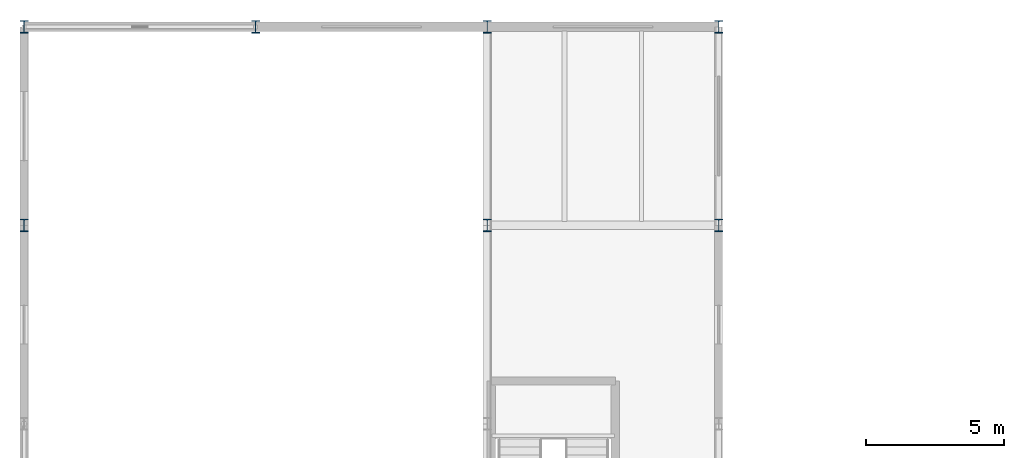
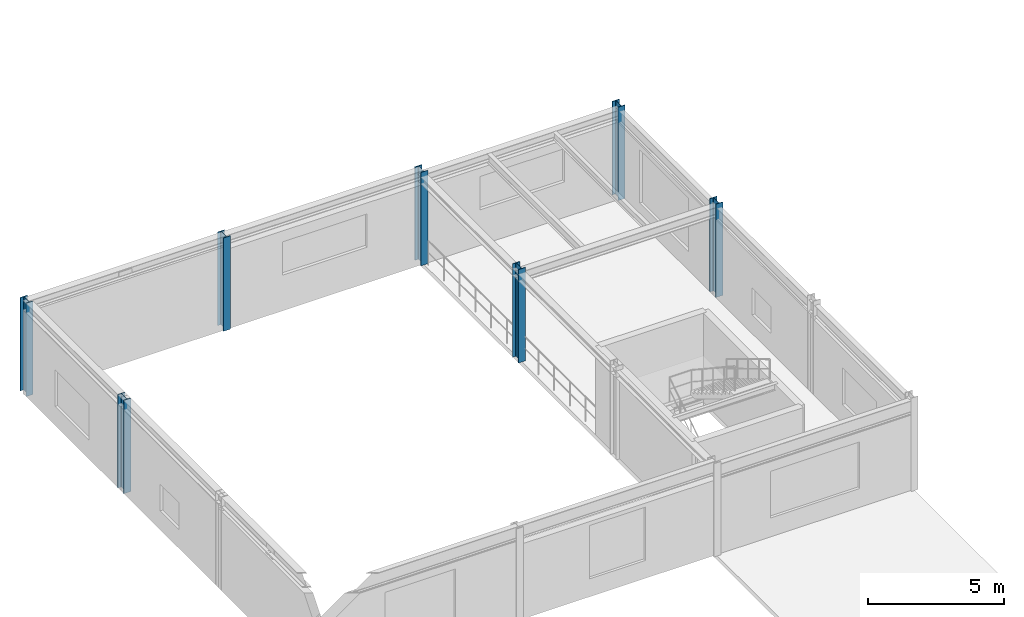
# One storey, part 8 of 73: 7 columns.
"""IFC4 building model written with IfcOpenShell, lengths in metres."""

from ifc_helpers import new_model, si_unit, derived_unit, direction, frame, origin, origin_2d, place, context, subcontext, project, spatial, i_section, extrude, material, material_profile, profile_set, type_object, element, save


model = new_model("IFC4")

# Units and contexts
model_context = context("Model", 3, precision=1e-05, world=origin(), true_north=direction((0.0, 1.0)))
body_context = subcontext(model_context, "Body", "Model", "MODEL_VIEW")
ifc_project = project(units=[si_unit("LENGTHUNIT", "METRE"), si_unit("AREAUNIT", "SQUARE_METRE"), si_unit("VOLUMEUNIT", "CUBIC_METRE"), si_unit("PLANEANGLEUNIT", "RADIAN"), si_unit("MASSUNIT", "GRAM", prefix="KILO"), derived_unit("THERMALTRANSMITTANCEUNIT", [(si_unit("MASSUNIT", "GRAM", prefix="KILO"), 1), (si_unit("TIMEUNIT", "SECOND"), -3), (si_unit("THERMODYNAMICTEMPERATUREUNIT", "KELVIN"), -1)])], contexts=[model_context])

# Site, building, storey
site_placement = place(None, origin())
site = spatial("IfcSite", under=ifc_project, at=site_placement, CompositionType="ELEMENT")
building_placement = place(site_placement, origin())
building = spatial("IfcBuilding", under=site, at=building_placement, Name="Kharveza Railside Sports Centre", CompositionType="ELEMENT")
storey_placement = place(building_placement, frame((0.0, 0.0, 8.699951171875)))
storey = spatial("IfcBuildingStorey", under=building, at=storey_placement, Name="L02", CompositionType="ELEMENT", Elevation=8.699951171875)

# Columns
ifc_material = material(Name="Steel S355J2", Category="steel")
ifc_material_profile = material_profile(ifc_material, i_section(OverallWidth=0.300048828125, OverallDepth=0.449951171875, WebThickness=0.013916015625, FlangeThickness=0.02587890625, FilletRadius=0.027099609375, at=origin_2d()), Name="HEB 450")
ifc_profile_set = profile_set([ifc_material_profile], Name="Steel S355J2")
column_type = type_object("IfcColumnType", Name="COL-S04", PredefinedType="COLUMN", material=ifc_profile_set)
for number, where, z_axis, x_axis, name in (
    (1, (0.0, 100.800048828125, 0.0), (0.0, 0.0, 1.0), (1.0, 0.0, 0.0), "COL-G-C04-X0-Y1008-L02"),
    (2, (0.0, 108.0, 0.0), (0.0, 0.0, 1.0), (1.0, 0.0, 0.0), "COL-G-C04-X0-Y1080-L02"),
    (3, (8.39990234375, 108.0, 0.0), (0.0, 0.0, 1.0), (1.0, 0.0, 0.0), "COL-G-C04-X84-Y1080-L02"),
    (4, (16.800048828125, 100.800048828125, 0.0), (0.0, 0.0, 1.0), (1.0, 0.0, 0.0), "COL-G-C04-X168-Y1008-L02"),
    (5, (16.800048828125, 108.0, 0.0), (0.0, 0.0, 1.0), (1.0, 0.0, 0.0), "COL-G-C04-X168-Y1080-L02"),
    (6, (25.199951171875, 100.800048828125, 0.0), (0.0, 0.0, 1.0), (1.0, 0.0, 0.0), "COL-G-C04-X252-Y1008-L02"),
    (7, (25.199951171875, 108.0, 0.0), (0.0, 0.0, 1.0), (1.0, 0.0, 0.0), "COL-G-C04-X252-Y1080-L02"),
):
    element("IfcColumn", number, at=place(storey_placement, frame(where, z_axis=z_axis, x_axis=x_axis)), inside=storey, type_object=column_type, Name=name, PredefinedType="COLUMN", context=body_context, shape_type="SweptSolid", body=[
        extrude(i_section(OverallWidth=0.300048828125, OverallDepth=0.449951171875, WebThickness=0.013916015625, FlangeThickness=0.02587890625, FilletRadius=0.027099609375, at=origin_2d()), origin(), (0.0, 0.0, 1.0), 4.199951171875),
    ])

save(model, "model.ifc")
